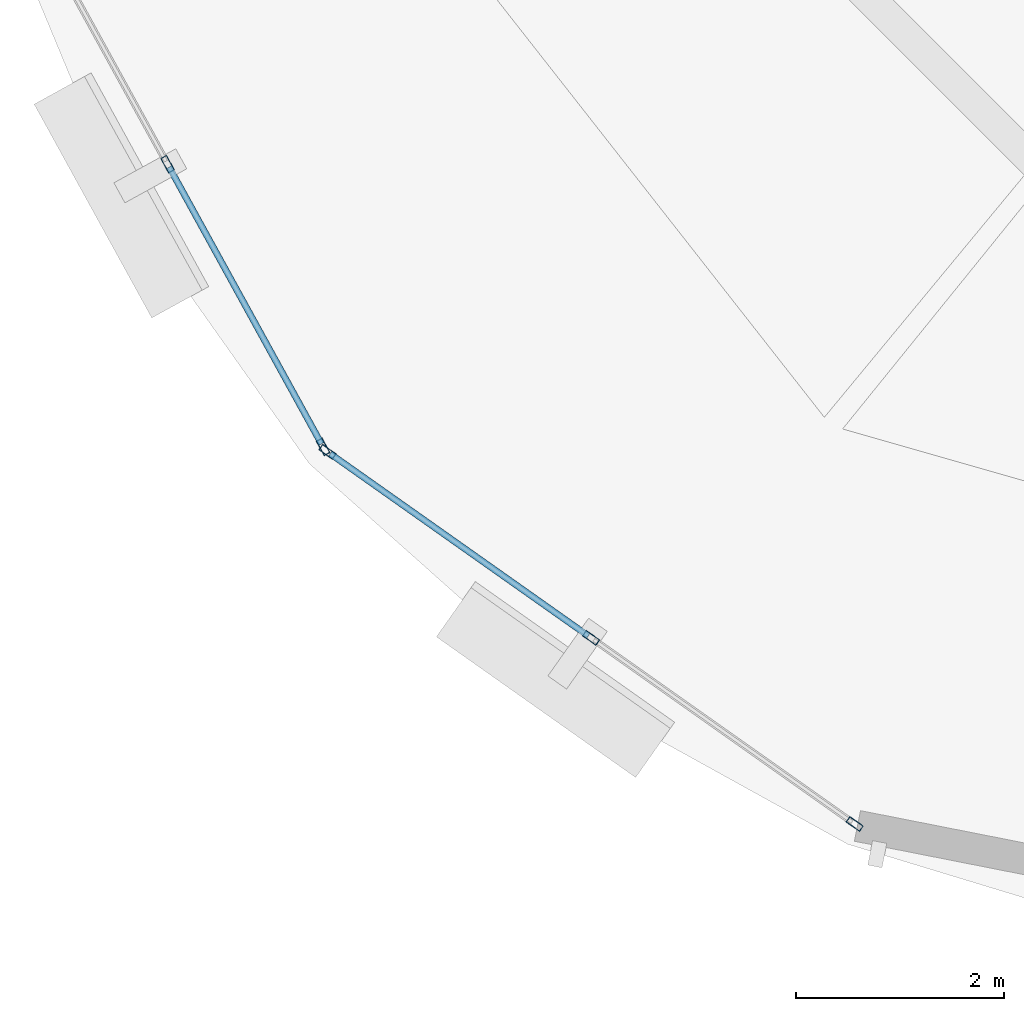
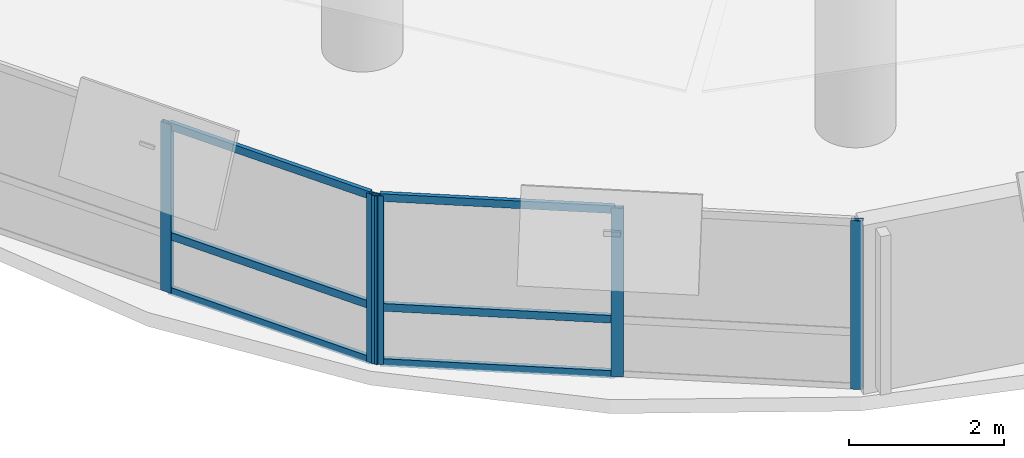
# One storey, part 2 of 12: 11 members, 2 elements without a shape of their own.
"""IFC4 building model written with IfcOpenShell, lengths in metres."""

from ifc_helpers import new_model, si_unit, direction, frame, origin, origin_2d, place, context, subcontext, project, spatial, hollow_rectangle, extrude, material, layer, layer_set, material_profile, profile_set, type_object, element, aggregate, save


model = new_model("IFC4")

# Units and contexts
model_context = context("Model", 3, precision=1e-05, world=origin(), true_north=direction((0.0, 1.0)))
body_context = subcontext(model_context, "Body", "Model", "MODEL_VIEW")
ifc_project = project(units=[si_unit("LENGTHUNIT", "METRE"), si_unit("AREAUNIT", "SQUARE_METRE"), si_unit("VOLUMEUNIT", "CUBIC_METRE"), si_unit("PLANEANGLEUNIT", "RADIAN"), si_unit("MASSUNIT", "GRAM", prefix="KILO"), si_unit("THERMODYNAMICTEMPERATUREUNIT", "KELVIN"), si_unit("POWERUNIT", "WATT")], contexts=[model_context])

# Site, building, storey
site_placement = place(None, origin())
site = spatial("IfcSite", under=ifc_project, at=site_placement, CompositionType="ELEMENT")
building_placement = place(site_placement, origin())
building = spatial("IfcBuilding", under=site, at=building_placement, Name="Ocrelia Relay Tower", CompositionType="ELEMENT")
storey_placement = place(building_placement, frame((0.0, 0.0, 206.0)))
storey = spatial("IfcBuildingStorey", under=building, at=storey_placement, Name="L50", CompositionType="ELEMENT", Elevation=206.0)

# Curtain wall, members
ifc_material_1 = material(Name="Aluminium and solar-control low-E glass", Category="aluminium")
ifc_layer = layer(ifc_material_1, 0.179931640625, Name="Aluminium and solar-control low-E glass")
ifc_layer_set = layer_set([ifc_layer], Name="Aluminium and solar-control low-E glass")
curtain_wall_type = type_object("IfcCurtainWallType", Name="CW-SYS-Z3-CLOU", PredefinedType="NOTDEFINED", material=ifc_layer_set)
curtain_wall_1_placement = place(storey_placement, origin())
curtain_wall_1 = element("IfcCurtainWall", 1, at=curtain_wall_1_placement, inside=storey, type_object=curtain_wall_type, Name="L50 Elliptical Tower Curtain Wall Bay 09", PredefinedType="NOTDEFINED")
ifc_material_2 = material(Name="Anodised bronze aluminium", Category="aluminium")
ifc_material_profile_1 = material_profile(ifc_material_2, hollow_rectangle(XDim=0.06494140625, YDim=0.159912109375, WallThickness=0.0048828125, at=origin_2d()), Name="CW-MUL-160x65")
ifc_profile_set_1 = profile_set([ifc_material_profile_1], Name="Anodised bronze aluminium")
member_type_1 = type_object("IfcMemberType", Name="CW-SYS-Z3-CLOU-MUL", PredefinedType="MULLION", material=ifc_profile_set_1)
member_1_placement = place(storey_placement, frame((15.04150390625, 13.155517578125, 0.0), z_axis=(0.0, 0.0, 1.0), x_axis=(0.876143984088, 0.482049498647, 0.0)))
member_1 = element("IfcMember", 2, at=member_1_placement, type_object=member_type_1, Name="CW-Z3 mullion 2", PredefinedType="MULLION", context=body_context, shape_type="SweptSolid", body=[
    extrude(hollow_rectangle(XDim=0.06494140625, YDim=0.159912109375, WallThickness=0.0048828125, at=origin_2d()), origin(), (0.0, 0.0, 1.0), 2.659912109375),
])
member_2_placement = place(storey_placement, frame((16.540283203125, 10.431640625, 0.0), z_axis=(0.0, 0.0, 1.0), x_axis=(0.876143984088, 0.482049498647, 0.0)))
member_2 = element("IfcMember", 3, at=member_2_placement, type_object=member_type_1, Name="CW-Z3 mullion 3", PredefinedType="MULLION", context=body_context, shape_type="SweptSolid", body=[
    extrude(hollow_rectangle(XDim=0.06494140625, YDim=0.159912109375, WallThickness=0.0048828125, at=origin_2d()), origin(), (0.0, 0.0, 1.0), 2.659912109375),
])

curtain_wall_2_placement = place(storey_placement, origin())
curtain_wall_2 = element("IfcCurtainWall", 4, at=curtain_wall_2_placement, inside=storey, type_object=curtain_wall_type, Name="L50 Elliptical Tower Curtain Wall Bay 10", PredefinedType="NOTDEFINED")
member_3_placement = place(storey_placement, frame((16.58251953125, 10.38427734375, 0.0), z_axis=(0.0, 0.0, 1.0), x_axis=(0.576713817762, 0.816946248172, 0.0)))
member_3 = element("IfcMember", 5, at=member_3_placement, type_object=member_type_1, Name="CW-Z3 mullion 1", PredefinedType="MULLION", context=body_context, shape_type="SweptSolid", body=[
    extrude(hollow_rectangle(XDim=0.06494140625, YDim=0.159912109375, WallThickness=0.0048828125, at=origin_2d()), origin(), (0.0, 0.0, 1.0), 2.659912109375),
])
member_4_placement = place(storey_placement, frame((19.122314453125, 8.591552734375, 0.0), z_axis=(0.0, 0.0, 1.0), x_axis=(0.576713817762, 0.816946248172, 0.0)))
member_4 = element("IfcMember", 6, at=member_4_placement, type_object=member_type_1, Name="CW-Z3 mullion 2", PredefinedType="MULLION", context=body_context, shape_type="SweptSolid", body=[
    extrude(hollow_rectangle(XDim=0.06494140625, YDim=0.159912109375, WallThickness=0.0048828125, at=origin_2d()), origin(), (0.0, 0.0, 1.0), 2.659912109375),
])
member_5_placement = place(storey_placement, frame((21.661865234375, 6.798583984375, 0.0), z_axis=(0.0, 0.0, 1.0), x_axis=(0.576713817762, 0.816946248172, 0.0)))
member_5 = element("IfcMember", 7, at=member_5_placement, type_object=member_type_1, Name="CW-Z3 mullion 3", PredefinedType="MULLION", context=body_context, shape_type="SweptSolid", body=[
    extrude(hollow_rectangle(XDim=0.06494140625, YDim=0.159912109375, WallThickness=0.0048828125, at=origin_2d()), origin(), (0.0, 0.0, 1.0), 2.659912109375),
])

# Member
ifc_material_profile_2 = material_profile(ifc_material_2, hollow_rectangle(XDim=0.06005859375, YDim=0.1201171875, WallThickness=0.0048828125, at=origin_2d()), Name="CW-TRN-120x60")
ifc_profile_set_2 = profile_set([ifc_material_profile_2], Name="Anodised bronze aluminium")
member_type_2 = type_object("IfcMemberType", Name="CW-SYS-Z3-CLOU-TRN", PredefinedType="USERDEFINED", material=ifc_profile_set_2)
member_6_placement = place(storey_placement, frame((15.057373046875, 13.126953125, 0.030029296875), z_axis=(0.482029585273, -0.87615494002, 0.0), x_axis=(0.87615494002, 0.482029585273, 0.0)))
member_6 = element("IfcMember", 8, at=member_6_placement, type_object=member_type_2, Name="CW-Z3 transom 2.1", ObjectType="TRANSOM", PredefinedType="USERDEFINED", context=body_context, shape_type="SweptSolid", body=[
    extrude(hollow_rectangle(XDim=0.06005859375, YDim=0.1201171875, WallThickness=0.0048828125, at=origin_2d()), origin(), (0.0, 0.0, 1.0), 3.0439453125),
])

member_7_placement = place(storey_placement, frame((15.057373046875, 13.126953125, 0.89990234375), z_axis=(0.482029585273, -0.87615494002, 0.0), x_axis=(0.87615494002, 0.482029585273, 0.0)))
member_7 = element("IfcMember", 9, at=member_7_placement, type_object=member_type_2, Name="CW-Z3 transom 2.2", ObjectType="TRANSOM", PredefinedType="USERDEFINED", context=body_context, shape_type="SweptSolid", body=[
    extrude(hollow_rectangle(XDim=0.06005859375, YDim=0.1201171875, WallThickness=0.0048828125, at=origin_2d()), origin(), (0.0, 0.0, 1.0), 3.0439453125),
])

member_8_placement = place(storey_placement, frame((15.057373046875, 13.126953125, 2.6298828125), z_axis=(0.482029585273, -0.87615494002, 0.0), x_axis=(0.87615494002, 0.482029585273, 0.0)))
member_8 = element("IfcMember", 10, at=member_8_placement, type_object=member_type_2, Name="CW-Z3 transom 2.3", ObjectType="TRANSOM", PredefinedType="USERDEFINED", context=body_context, shape_type="SweptSolid", body=[
    extrude(hollow_rectangle(XDim=0.06005859375, YDim=0.1201171875, WallThickness=0.0048828125, at=origin_2d()), origin(), (0.0, 0.0, 1.0), 3.0439453125),
])

aggregate(curtain_wall_1, [member_1, member_2, member_6, member_7, member_8])

member_9_placement = place(storey_placement, frame((16.60888671875, 10.36572265625, 0.030029296875), z_axis=(0.816934521701, -0.576730428583, 0.0), x_axis=(0.576730428583, 0.816934521701, 0.0)))
member_9 = element("IfcMember", 11, at=member_9_placement, type_object=member_type_2, Name="CW-Z3 transom 1.1", ObjectType="TRANSOM", PredefinedType="USERDEFINED", context=body_context, shape_type="SweptSolid", body=[
    extrude(hollow_rectangle(XDim=0.06005859375, YDim=0.1201171875, WallThickness=0.0048828125, at=origin_2d()), origin(), (0.0, 0.0, 1.0), 3.044189453125),
])

member_10_placement = place(storey_placement, frame((16.60888671875, 10.36572265625, 0.89990234375), z_axis=(0.816934521701, -0.576730428583, 0.0), x_axis=(0.576730428583, 0.816934521701, 0.0)))
member_10 = element("IfcMember", 12, at=member_10_placement, type_object=member_type_2, Name="CW-Z3 transom 1.2", ObjectType="TRANSOM", PredefinedType="USERDEFINED", context=body_context, shape_type="SweptSolid", body=[
    extrude(hollow_rectangle(XDim=0.06005859375, YDim=0.1201171875, WallThickness=0.0048828125, at=origin_2d()), origin(), (0.0, 0.0, 1.0), 3.044189453125),
])

member_11_placement = place(storey_placement, frame((16.60888671875, 10.36572265625, 2.6298828125), z_axis=(0.816934521701, -0.576730428583, 0.0), x_axis=(0.576730428583, 0.816934521701, 0.0)))
member_11 = element("IfcMember", 13, at=member_11_placement, type_object=member_type_2, Name="CW-Z3 transom 1.3", ObjectType="TRANSOM", PredefinedType="USERDEFINED", context=body_context, shape_type="SweptSolid", body=[
    extrude(hollow_rectangle(XDim=0.06005859375, YDim=0.1201171875, WallThickness=0.0048828125, at=origin_2d()), origin(), (0.0, 0.0, 1.0), 3.044189453125),
])

aggregate(curtain_wall_2, [member_3, member_4, member_5, member_9, member_10, member_11])

save(model, "model.ifc")
